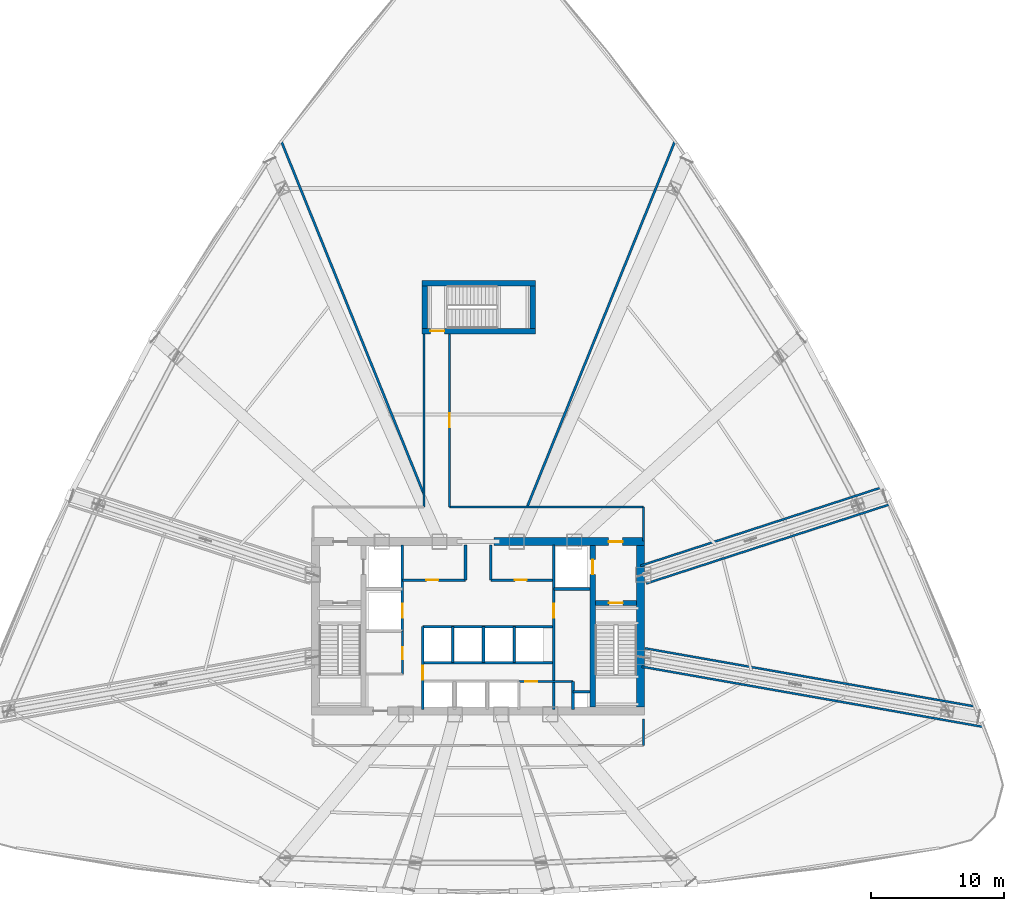
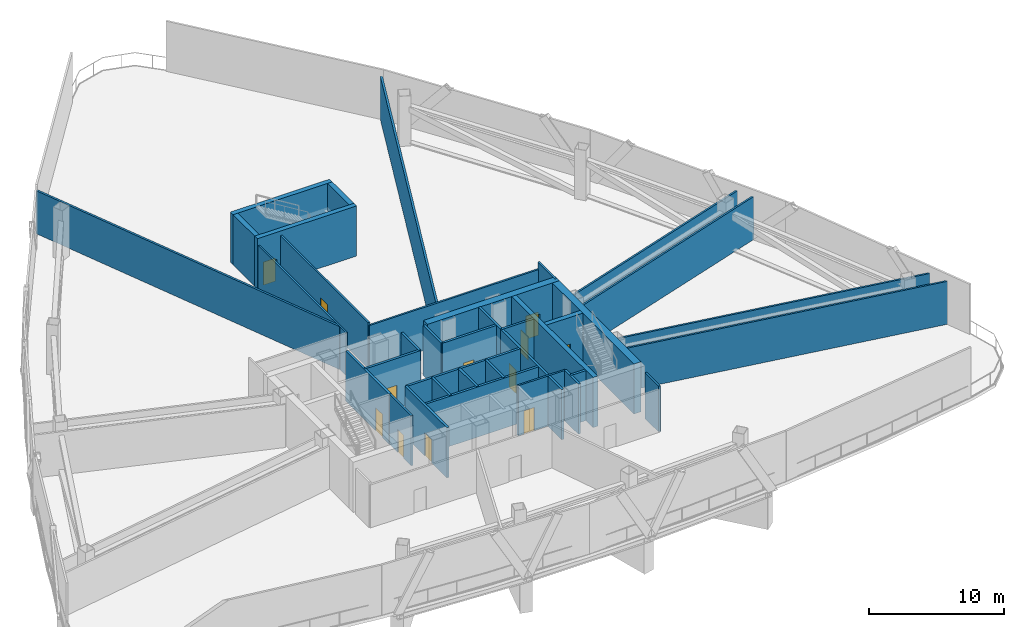
# One storey, part 10 of 17: 37 walls, 12 doors, 12 openings.
"""IFC4 building model written with IfcOpenShell, lengths in metres."""

from ifc_helpers import new_model, si_unit, direction, frame, frame_2d, origin, origin_with_axes, place, context, subcontext, project, spatial, rectangle, extrude, source, transform, mapped, material, layer, layer_set, type_object, element, fill, save


model = new_model("IFC4")

# Units and contexts
model_context = context("Model", 3, precision=1e-05, world=origin(), true_north=direction((0.0, 1.0)))
body_context = subcontext(model_context, "Body", "Model", "MODEL_VIEW")
ifc_project = project(units=[si_unit("LENGTHUNIT", "METRE"), si_unit("AREAUNIT", "SQUARE_METRE"), si_unit("VOLUMEUNIT", "CUBIC_METRE"), si_unit("PLANEANGLEUNIT", "RADIAN"), si_unit("MASSUNIT", "GRAM", prefix="KILO"), si_unit("THERMODYNAMICTEMPERATUREUNIT", "KELVIN"), si_unit("POWERUNIT", "WATT")], contexts=[model_context])

# Site, building, storey
site_placement = place(None, origin())
site = spatial("IfcSite", under=ifc_project, at=site_placement, CompositionType="ELEMENT")
building_placement = place(site_placement, origin())
building = spatial("IfcBuilding", under=site, at=building_placement, Name="Yunzhuo Pagoda Commons", CompositionType="ELEMENT")
storey_placement = place(building_placement, frame((0.0, 0.0, 176.159912109375)))
storey = spatial("IfcBuildingStorey", under=building, at=storey_placement, Name="L44", CompositionType="ELEMENT", Elevation=176.159912109375)

# Wall, opening, door
ifc_material_1 = material(Name="Concrete C60", Category="concrete")
ifc_layer_1 = layer(ifc_material_1, 0.60009765625)
ifc_layer_set_1 = layer_set([ifc_layer_1], Name="Concrete C60")
wall_type_1 = type_object("IfcWallType", Name="W-C02 Mid Core Shear Wall 600", PredefinedType="SHEAR", material=ifc_layer_set_1)
wall_1_placement = place(storey_placement, frame((49.199951171875, 40.199951171875, 0.0), z_axis=(0.0, 0.0, 1.0), x_axis=(1.0, 0.0, 0.0)))
wall_1 = element("IfcWall", 1, at=wall_1_placement, inside=storey, type_object=wall_type_1, Name="L44 core shear wall NE", PredefinedType="SHEAR", context=body_context, shape_type="SweptSolid", body=[
    extrude(rectangle(XDim=11.300048828125, YDim=0.60009765625, at=frame_2d((5.64990234375, 0.0))), origin(), (0.0, 0.0, 1.0), 4.5400390625),
])
opening_1_placement = place(wall_1_placement, frame((8.60009765625, 0.0, 0.0)))
opening_1 = element("IfcOpeningElement", 2, at=opening_1_placement, cuts=wall_1, Name="Opening D-02", PredefinedType="OPENING", context=body_context, shape_type="SweptSolid", body=[
    extrude(rectangle(XDim=1.050048828125, YDim=2.10009765625, at=frame_2d((0.52490234375, 1.050048828125))), frame((0.0, 0.31005859375, 0.0), z_axis=(0.0, -1.0, 0.0), x_axis=(1.0, 0.0, 0.0)), (0.0, 0.0, 1.0), 0.6201171875),
])
ifc_material_2 = material(Name="Galvanized fire-resisting metal leaf")
door_type_1 = type_object("IfcDoorType", Name="D-02 Firefighting Lobby & Refuge Fire Door 1050x2100", OperationType="NOTDEFINED", PredefinedType="DOOR", material=ifc_material_2)
shared_shape_1 = source(origin(), body_context, "Body", "SweptSolid", [
    extrude(rectangle(XDim=1.050048828125, YDim=2.10009765625, at=frame_2d((0.52490234375, 1.050048828125))), frame((0.0, 0.02490234375, 0.0), z_axis=(0.0, -1.0, 0.0), x_axis=(1.0, 0.0, 0.0)), (0.0, 0.0, 1.0), 0.050048828125),
])
door_1_placement = place(opening_1_placement, frame((1.050048828125, 0.0, 0.0), z_axis=(0.0, 0.0, 1.0), x_axis=(-1.0, 0.0, 0.0)))
door_1 = element("IfcDoor", 3, at=door_1_placement, inside=storey, type_object=door_type_1, Name="L44 Firefighting Lobby 2 fire door", OperationType="SINGLE_SWING_RIGHT", OverallHeight=2.10009765625, OverallWidth=1.050048828125, PredefinedType="DOOR", context=body_context, shape_type="MappedRepresentation", body=[
    mapped(shared_shape_1, transform((0.0, 0.0, 0.0), scale=1.0)),
])
fill(opening_1, door_1)

# Wall
wall_2_placement = place(storey_placement, frame((60.199951171875, 27.800048828125, 0.0), z_axis=(0.0, 0.0, 1.0), x_axis=(0.0, 1.0, 0.0)))
element("IfcWall", 4, at=wall_2_placement, inside=storey, type_object=wall_type_1, Name="L44 core shear wall E", PredefinedType="SHEAR", context=body_context, shape_type="SweptSolid", body=[
    extrude(rectangle(XDim=12.099853515625, YDim=0.60009765625, at=frame_2d((6.0498046875, 0.0))), origin(), (0.0, 0.0, 1.0), 4.5400390625),
])

# Wall, opening, door
ifc_material_3 = material(Name="Gypsum plasterboard on acoustic stud")
ifc_layer_2 = layer(ifc_material_3, 0.155029296875)
ifc_layer_set_2 = layer_set([ifc_layer_2], Name="Gypsum plasterboard on acoustic stud")
wall_type_2 = type_object("IfcWallType", Name="W-COR2 Mid-Zone Rated Corridor Wall 155", PredefinedType="PARTITIONING", material=ifc_layer_set_2)
wall_3_placement = place(storey_placement, frame((42.320068359375, 30.280029296875, 0.0), z_axis=(0.0, 0.0, 1.0), x_axis=(0.0, 1.0, 0.0)))
wall_3 = element("IfcWall", 5, at=wall_3_placement, inside=storey, type_object=wall_type_2, Name="L44 interior wall IW-L44-CSWE", PredefinedType="PARTITIONING", context=body_context, shape_type="SweptSolid", body=[
    extrude(rectangle(XDim=3.219970703125, YDim=0.155029296875, at=frame_2d((1.60986328125, 0.0))), origin(), (0.0, 0.0, 1.0), 4.5400390625),
])
opening_2_placement = place(wall_3_placement, frame((1.10009765625, 0.0, 0.0)))
opening_2 = element("IfcOpeningElement", 6, at=opening_2_placement, cuts=wall_3, Name="Opening D-03", PredefinedType="OPENING", context=body_context, shape_type="SweptSolid", body=[
    extrude(rectangle(XDim=0.89990234375, YDim=2.10009765625, at=frame_2d((0.449951171875, 1.050048828125))), frame((0.0, 0.08740234375, 0.0), z_axis=(0.0, -1.0, 0.0), x_axis=(1.0, 0.0, 0.0)), (0.0, 0.0, 1.0), 0.175048828125),
])
door_type_2 = type_object("IfcDoorType", Name="D-03 Core Service Fire Door 900x2100", OperationType="NOTDEFINED", PredefinedType="DOOR", material=ifc_material_2)
shared_shape_2 = source(origin(), body_context, "Body", "SweptSolid", [
    extrude(rectangle(XDim=0.89990234375, YDim=2.10009765625, at=frame_2d((0.449951171875, 1.050048828125))), frame((0.0, 0.02490234375, 0.0), z_axis=(0.0, -1.0, 0.0), x_axis=(1.0, 0.0, 0.0)), (0.0, 0.0, 1.0), 0.050048828125),
])
door_2_placement = place(opening_2_placement, origin_with_axes())
door_2 = element("IfcDoor", 7, at=door_2_placement, inside=storey, type_object=door_type_2, Name="L44 core closet door", OperationType="SINGLE_SWING_LEFT", OverallHeight=2.10009765625, OverallWidth=0.89990234375, PredefinedType="DOOR", context=body_context, shape_type="MappedRepresentation", body=[
    mapped(shared_shape_2, transform((0.0, 0.0, 0.0), scale=1.0)),
])
fill(opening_2, door_2)

wall_4_placement = place(storey_placement, frame((51.050048828125, 29.719970703125, 0.0), z_axis=(0.0, 0.0, 1.0), x_axis=(1.0, 0.0, 0.0)))
wall_4 = element("IfcWall", 8, at=wall_4_placement, inside=storey, type_object=wall_type_2, Name="L44 interior wall IW-L44-CSES", PredefinedType="PARTITIONING", context=body_context, shape_type="SweptSolid", body=[
    extrude(rectangle(XDim=4.070068359375, YDim=0.155029296875, at=frame_2d((2.03515625, 0.0))), origin(), (0.0, 0.0, 1.0), 4.5400390625),
])
opening_3_placement = place(wall_4_placement, frame((0.5, 0.0, 0.0)))
opening_3 = element("IfcOpeningElement", 9, at=opening_3_placement, cuts=wall_4, Name="Opening D-03", PredefinedType="OPENING", context=body_context, shape_type="SweptSolid", body=[
    extrude(rectangle(XDim=0.89990234375, YDim=2.10009765625, at=frame_2d((0.449951171875, 1.050048828125))), frame((0.0, 0.08740234375, 0.0), z_axis=(0.0, -1.0, 0.0), x_axis=(1.0, 0.0, 0.0)), (0.0, 0.0, 1.0), 0.175048828125),
])
door_3_placement = place(opening_3_placement, origin_with_axes())
door_3 = element("IfcDoor", 10, at=door_3_placement, inside=storey, type_object=door_type_2, Name="L44 cleaner store door", OperationType="SINGLE_SWING_LEFT", OverallHeight=2.10009765625, OverallWidth=0.89990234375, PredefinedType="DOOR", context=body_context, shape_type="MappedRepresentation", body=[
    mapped(shared_shape_2, transform((0.0, 0.0, 0.0), scale=1.0)),
])
fill(opening_3, door_3)

# Walls
wall_5_placement = place(storey_placement, frame((60.2783203125, 30.82421875, 0.0), z_axis=(0.0, 0.0, 1.0), x_axis=(0.984808792437, -0.173642282695, 0.0)))
element("IfcWall", 11, at=wall_5_placement, inside=storey, type_object=wall_type_2, Name="L44 interior wall IW-L44-OTW01", PredefinedType="PARTITIONING", context=body_context, shape_type="SweptSolid", body=[
    extrude(rectangle(XDim=25.99560546875, YDim=0.155029296875, at=frame_2d((12.997802734375, 0.0))), origin(), (0.0, 0.0, 1.0), 3.89013671875),
])
wall_6_placement = place(storey_placement, frame((60.521484375, 32.202880859375, 0.0), z_axis=(0.0, 0.0, 1.0), x_axis=(0.984809178547, -0.173640092865, 0.0)))
element("IfcWall", 12, at=wall_6_placement, inside=storey, type_object=wall_type_2, Name="L44 interior wall IW-L44-OTW02", PredefinedType="PARTITIONING", context=body_context, shape_type="SweptSolid", body=[
    extrude(rectangle(XDim=25.1240234375, YDim=0.155029296875, at=frame_2d((12.56201171875, 0.0))), origin(), (0.0, 0.0, 1.0), 3.89013671875),
])
wall_7_placement = place(storey_placement, frame((60.6162109375, 37.063232421875, 0.0), z_axis=(0.0, 0.0, 1.0), x_axis=(0.951056691926, 0.309016453838, 0.0)))
element("IfcWall", 13, at=wall_7_placement, inside=storey, type_object=wall_type_2, Name="L44 interior wall IW-L44-OTW03", PredefinedType="PARTITIONING", context=body_context, shape_type="SweptSolid", body=[
    extrude(rectangle(XDim=19.189697265625, YDim=0.155029296875, at=frame_2d((9.5947265625, 0.0))), origin(), (0.0, 0.0, 1.0), 3.89013671875),
])
wall_8_placement = place(storey_placement, frame((60.18359375, 38.394775390625, 0.0), z_axis=(0.0, 0.0, 1.0), x_axis=(0.951055361724, 0.309020547758, 0.0)))
element("IfcWall", 14, at=wall_8_placement, inside=storey, type_object=wall_type_2, Name="L44 interior wall IW-L44-OTW04", PredefinedType="PARTITIONING", context=body_context, shape_type="SweptSolid", body=[
    extrude(rectangle(XDim=18.956298828125, YDim=0.155029296875, at=frame_2d((9.47802734375, 0.0))), origin(), (0.0, 0.0, 1.0), 3.89013671875),
])
wall_9_placement = place(storey_placement, frame((43.949951171875, 42.800048828125, 0.0), z_axis=(0.0, 0.0, 1.0), x_axis=(0.0, 1.0, 0.0)))
element("IfcWall", 15, at=wall_9_placement, inside=storey, type_object=wall_type_2, Name="L44 interior wall IW-L44-SCW03", PredefinedType="PARTITIONING", context=body_context, shape_type="SweptSolid", body=[
    extrude(rectangle(XDim=13.0, YDim=0.155029296875, at=frame_2d((6.5, 0.0))), origin(), (0.0, 0.0, 1.0), 3.89013671875),
])

# Wall, opening, door
wall_10_placement = place(storey_placement, frame((45.85009765625, 55.800048828125, 0.0), z_axis=(0.0, 0.0, 1.0), x_axis=(0.0, -1.0, 0.0)))
wall_10 = element("IfcWall", 16, at=wall_10_placement, inside=storey, type_object=wall_type_2, Name="L44 interior wall IW-L44-SCW04", PredefinedType="PARTITIONING", context=body_context, shape_type="SweptSolid", body=[
    extrude(rectangle(XDim=13.0, YDim=0.155029296875, at=frame_2d((6.5, 0.0))), origin(), (0.0, 0.0, 1.0), 4.14013671875),
])
opening_4_placement = place(wall_10_placement, frame((5.97509765625, 0.0, 0.0)))
opening_4 = element("IfcOpeningElement", 17, at=opening_4_placement, cuts=wall_10, Name="Opening D-02", PredefinedType="OPENING", context=body_context, shape_type="SweptSolid", body=[
    extrude(rectangle(XDim=1.050048828125, YDim=2.10009765625, at=frame_2d((0.52490234375, 1.050048828125))), frame((0.0, 0.08740234375, 0.0), z_axis=(0.0, -1.0, 0.0), x_axis=(1.0, 0.0, 0.0)), (0.0, 0.0, 1.0), 0.175048828125),
])
door_4_placement = place(opening_4_placement, origin_with_axes())
door_4 = element("IfcDoor", 18, at=door_4_placement, inside=storey, type_object=door_type_1, Name="L44 North Refuge Area door", OperationType="SINGLE_SWING_RIGHT", OverallHeight=2.10009765625, OverallWidth=1.050048828125, PredefinedType="DOOR", context=body_context, shape_type="MappedRepresentation", body=[
    mapped(shared_shape_1, transform((0.0, 0.0, 0.0), scale=1.0)),
])
fill(opening_4, door_4)

# Walls
wall_11_placement = place(storey_placement, frame((45.85009765625, 42.800048828125, 0.0), z_axis=(0.0, 0.0, 1.0), x_axis=(1.0, 0.0, 0.0)))
element("IfcWall", 19, at=wall_11_placement, inside=storey, type_object=wall_type_2, Name="L44 interior wall IW-L44-SCW05", PredefinedType="PARTITIONING", context=body_context, shape_type="SweptSolid", body=[
    extrude(rectangle(XDim=14.5498046875, YDim=0.155029296875, at=frame_2d((7.27490234375, 0.0))), origin(), (0.0, 0.0, 1.0), 3.89013671875),
])
wall_12_placement = place(storey_placement, frame((60.39990234375, 42.800048828125, 0.0), z_axis=(0.0, 0.0, 1.0), x_axis=(0.0, -1.0, 0.0)))
element("IfcWall", 20, at=wall_12_placement, inside=storey, type_object=wall_type_2, Name="L44 interior wall IW-L44-SCW06", PredefinedType="PARTITIONING", context=body_context, shape_type="SweptSolid", body=[
    extrude(rectangle(XDim=2.550048828125, YDim=0.155029296875, at=frame_2d((1.27490234375, 0.0))), origin(), (0.0, 0.0, 1.0), 4.5400390625),
])
wall_13_placement = place(storey_placement, frame((60.39990234375, 26.89990234375, 0.0), z_axis=(0.0, 0.0, 1.0), x_axis=(0.0, -1.0, 0.0)))
element("IfcWall", 21, at=wall_13_placement, inside=storey, type_object=wall_type_2, Name="L44 interior wall IW-L44-SCW07", PredefinedType="PARTITIONING", context=body_context, shape_type="SweptSolid", body=[
    extrude(rectangle(XDim=2.0, YDim=0.155029296875, at=frame_2d((1.0, 0.0))), origin(), (0.0, 0.0, 1.0), 4.14013671875),
])
ifc_layer_3 = layer(ifc_material_3, 0.175048828125)
ifc_layer_set_3 = layer_set([ifc_layer_3], Name="Gypsum plasterboard on acoustic stud")
wall_type_3 = type_object("IfcWallType", Name="W-PRT3 Mid-Zone Demising Wall 175", PredefinedType="PARTITIONING", material=ifc_layer_set_3)
wall_14_placement = place(storey_placement, frame((51.676513671875, 42.800048828125, 0.0), z_axis=(0.0, 0.0, 1.0), x_axis=(0.374608867695, 0.927182935695, 0.0)))
element("IfcWall", 22, at=wall_14_placement, inside=storey, type_object=wall_type_3, Name="L44 interior wall IW-L44-SRAD1", PredefinedType="PARTITIONING", context=body_context, shape_type="SweptSolid", body=[
    extrude(rectangle(XDim=29.592041015625, YDim=0.175048828125, at=frame_2d((14.7958984375, 0.0))), origin(), (0.0, 0.0, 1.0), 3.89013671875),
])
wall_15_placement = place(storey_placement, frame((43.949951171875, 43.72412109375, 0.0), z_axis=(0.0, 0.0, 1.0), x_axis=(-0.374603363422, 0.927185159562, 0.0)))
element("IfcWall", 23, at=wall_15_placement, inside=storey, type_object=wall_type_3, Name="L44 interior wall IW-L44-SRAD2", PredefinedType="PARTITIONING", context=body_context, shape_type="SweptSolid", body=[
    extrude(rectangle(XDim=28.595458984375, YDim=0.175048828125, at=frame_2d((14.2978515625, 0.0))), origin(), (0.0, 0.0, 1.0), 3.89013671875),
])

# Wall, opening, door
ifc_layer_4 = layer(ifc_material_1, 0.39990234375)
ifc_layer_set_4 = layer_set([ifc_layer_4], Name="Concrete C60")
wall_type_4 = type_object("IfcWallType", Name="W-S01 Internal Core Shear Web 400", PredefinedType="SHEAR", material=ifc_layer_set_4)
wall_16_placement = place(storey_placement, frame((56.60009765625, 27.800048828125, 0.0), z_axis=(0.0, 0.0, 1.0), x_axis=(0.0, 1.0, 0.0)))
wall_16 = element("IfcWall", 24, at=wall_16_placement, inside=storey, type_object=wall_type_4, Name="L44 core shear wall WEBE", PredefinedType="SHEAR", context=body_context, shape_type="SweptSolid", body=[
    extrude(rectangle(XDim=12.099853515625, YDim=0.39990234375, at=frame_2d((6.0498046875, 0.0))), origin(), (0.0, 0.0, 1.0), 4.5400390625),
])
opening_5_placement = place(wall_16_placement, frame((9.949951171875, 0.0, 0.0)))
opening_5 = element("IfcOpeningElement", 25, at=opening_5_placement, cuts=wall_16, Name="Opening LD-01", PredefinedType="OPENING", context=body_context, shape_type="SweptSolid", body=[
    extrude(rectangle(XDim=1.10009765625, YDim=2.10009765625, at=frame_2d((0.550048828125, 1.050048828125))), frame((0.0, 0.2099609375, 0.0), z_axis=(0.0, -1.0, 0.0), x_axis=(1.0, 0.0, 0.0)), (0.0, 0.0, 1.0), 0.419921875),
])
door_type_3 = type_object("IfcDoorType", Name="LD-01 Firefighting Lift Landing Door 1100x2100", OperationType="DOUBLE_DOOR_SLIDING", PredefinedType="DOOR", material=ifc_material_2)
shared_shape_3 = source(origin(), body_context, "Body", "SweptSolid", [
    extrude(rectangle(XDim=1.10009765625, YDim=2.10009765625, at=frame_2d((0.550048828125, 1.050048828125))), frame((0.0, 0.02490234375, 0.0), z_axis=(0.0, -1.0, 0.0), x_axis=(1.0, 0.0, 0.0)), (0.0, 0.0, 1.0), 0.050048828125),
])
door_5_placement = place(opening_5_placement, origin_with_axes())
door_5 = element("IfcDoor", 26, at=door_5_placement, inside=storey, type_object=door_type_3, Name="L44 Firefighting lift FL-2 landing door", OperationType="DOUBLE_DOOR_SLIDING", OverallHeight=2.10009765625, OverallWidth=1.10009765625, PredefinedType="DOOR", context=body_context, shape_type="MappedRepresentation", body=[
    mapped(shared_shape_3, transform((0.0, 0.0, 0.0), scale=1.0)),
])
fill(opening_5, door_5)

wall_17_placement = place(storey_placement, frame((56.800048828125, 35.60009765625, 0.0), z_axis=(0.0, 0.0, 1.0), x_axis=(1.0, 0.0, 0.0)))
wall_17 = element("IfcWall", 27, at=wall_17_placement, inside=storey, type_object=wall_type_4, Name="L44 core shear wall STE", PredefinedType="SHEAR", context=body_context, shape_type="SweptSolid", body=[
    extrude(rectangle(XDim=3.099853515625, YDim=0.39990234375, at=frame_2d((1.5498046875, 0.0))), origin(), (0.0, 0.0, 1.0), 4.5400390625),
])
opening_6_placement = place(wall_17_placement, frame((1.02001953125, 0.0, 0.0)))
opening_6 = element("IfcOpeningElement", 28, at=opening_6_placement, cuts=wall_17, Name="Opening D-01", PredefinedType="OPENING", context=body_context, shape_type="SweptSolid", body=[
    extrude(rectangle(XDim=1.050048828125, YDim=2.10009765625, at=frame_2d((0.52490234375, 1.050048828125))), frame((0.0, 0.2099609375, 0.0), z_axis=(0.0, -1.0, 0.0), x_axis=(1.0, 0.0, 0.0)), (0.0, 0.0, 1.0), 0.419921875),
])
door_type_4 = type_object("IfcDoorType", Name="D-01 Smokeproof Stair Fire Door 1050x2100", OperationType="NOTDEFINED", PredefinedType="DOOR", material=ifc_material_2)
door_6_placement = place(opening_6_placement, frame((1.050048828125, 0.0, 0.0), z_axis=(0.0, 0.0, 1.0), x_axis=(-1.0, 0.0, 0.0)))
door_6 = element("IfcDoor", 29, at=door_6_placement, inside=storey, type_object=door_type_4, Name="L44 Stair ST2 fire door", OperationType="SINGLE_SWING_RIGHT", OverallHeight=2.10009765625, OverallWidth=1.050048828125, PredefinedType="DOOR", context=body_context, shape_type="MappedRepresentation", body=[
    mapped(shared_shape_1, transform((0.0, 0.0, 0.0), scale=1.0)),
])
fill(opening_6, door_6)

# Wall
wall_18_placement = place(storey_placement, frame((43.800048828125, 59.60009765625, 0.0), z_axis=(0.0, 0.0, 1.0), x_axis=(1.0, 0.0, 0.0)))
element("IfcWall", 30, at=wall_18_placement, inside=storey, type_object=wall_type_4, Name="L44 ST3 structural stair wall N", PredefinedType="SHEAR", context=body_context, shape_type="SweptSolid", body=[
    extrude(rectangle(XDim=8.5, YDim=0.39990234375, at=frame_2d((4.25, 0.0))), origin(), (0.0, 0.0, 1.0), 4.5400390625),
])

# Wall, opening, door
wall_19_placement = place(storey_placement, frame((43.800048828125, 56.0, 0.0), z_axis=(0.0, 0.0, 1.0), x_axis=(1.0, 0.0, 0.0)))
wall_19 = element("IfcWall", 31, at=wall_19_placement, inside=storey, type_object=wall_type_4, Name="L44 ST3 structural stair wall S", PredefinedType="SHEAR", context=body_context, shape_type="SweptSolid", body=[
    extrude(rectangle(XDim=8.5, YDim=0.39990234375, at=frame_2d((4.25, 0.0))), origin(), (0.0, 0.0, 1.0), 4.5400390625),
])
opening_7_placement = place(wall_19_placement, frame((0.6201171875, 0.0, 0.0)))
opening_7 = element("IfcOpeningElement", 32, at=opening_7_placement, cuts=wall_19, Name="Opening D-01", PredefinedType="OPENING", context=body_context, shape_type="SweptSolid", body=[
    extrude(rectangle(XDim=1.050048828125, YDim=2.10009765625, at=frame_2d((0.52490234375, 1.050048828125))), frame((0.0, 0.2099609375, 0.0), z_axis=(0.0, -1.0, 0.0), x_axis=(1.0, 0.0, 0.0)), (0.0, 0.0, 1.0), 0.419921875),
])
door_7_placement = place(opening_7_placement, frame((1.050048828125, 0.0, 0.0), z_axis=(0.0, 0.0, 1.0), x_axis=(-1.0, 0.0, 0.0)))
door_7 = element("IfcDoor", 33, at=door_7_placement, inside=storey, type_object=door_type_4, Name="L44 Stair ST3 fire door", OperationType="SINGLE_SWING_LEFT", OverallHeight=2.10009765625, OverallWidth=1.050048828125, PredefinedType="DOOR", context=body_context, shape_type="MappedRepresentation", body=[
    mapped(shared_shape_1, transform((0.0, 0.0, 0.0), scale=1.0)),
])
fill(opening_7, door_7)

# Walls
for number, where, z_axis, x_axis, name in (
    (34, (44.0, 56.199951171875, 0.0), (0.0, 0.0, 1.0), (0.0, 1.0, 0.0), "L44 ST3 structural stair wall W"),
    (35, (52.10009765625, 56.199951171875, 0.0), (0.0, 0.0, 1.0), (0.0, 1.0, 0.0), "L44 ST3 structural stair wall E"),
):
    element("IfcWall", number, at=place(storey_placement, frame(where, z_axis=z_axis, x_axis=x_axis)), inside=storey, type_object=wall_type_4, Name=name, PredefinedType="SHEAR", context=body_context, shape_type="SweptSolid", body=[
        extrude(rectangle(XDim=3.199951171875, YDim=0.39990234375, at=frame_2d((1.60009765625, 0.0))), origin(), (0.0, 0.0, 1.0), 4.5400390625),
    ])

# Wall, opening, door
ifc_material_4 = material(Name="Concrete C40", Category="concrete")
ifc_layer_5 = layer(ifc_material_4, 0.199951171875)
ifc_layer_set_5 = layer_set([ifc_layer_5], Name="Concrete C40")
wall_type_5 = type_object("IfcWallType", Name="W-SHF Shaft & Stair Enclosure Wall 200", PredefinedType="SOLIDWALL", material=ifc_layer_set_5)
wall_20_placement = place(storey_placement, frame((42.320068359375, 33.5, 0.0), z_axis=(0.0, 0.0, 1.0), x_axis=(0.0, 1.0, 0.0)))
wall_20 = element("IfcWall", 36, at=wall_20_placement, inside=storey, type_object=wall_type_5, Name="L44 interior wall IW-L44-FL1E", PredefinedType="SOLIDWALL", context=body_context, shape_type="SweptSolid", body=[
    extrude(rectangle(XDim=6.449951171875, YDim=0.199951171875, at=frame_2d((3.22509765625, 0.0))), origin(), (0.0, 0.0, 1.0), 4.5400390625),
])
opening_8_placement = place(wall_20_placement, frame((1.0, 0.0, 0.0)))
opening_8 = element("IfcOpeningElement", 37, at=opening_8_placement, cuts=wall_20, Name="Opening LD-02", PredefinedType="OPENING", context=body_context, shape_type="SweptSolid", body=[
    extrude(rectangle(XDim=1.050048828125, YDim=2.10009765625, at=frame_2d((0.52490234375, 1.050048828125))), frame((0.0, 0.10986328125, 0.0), z_axis=(0.0, -1.0, 0.0), x_axis=(1.0, 0.0, 0.0)), (0.0, 0.0, 1.0), 0.219970703125),
])
door_type_5 = type_object("IfcDoorType", Name="LD-02 Passenger Lift Landing Door 1050x2100", OperationType="DOUBLE_DOOR_SLIDING", PredefinedType="DOOR", material=ifc_material_2)
door_8_placement = place(opening_8_placement, origin_with_axes())
door_8 = element("IfcDoor", 38, at=door_8_placement, inside=storey, type_object=door_type_5, Name="L44 Service lift SL-1 landing door", OperationType="DOUBLE_DOOR_SLIDING", OverallHeight=2.10009765625, OverallWidth=1.050048828125, PredefinedType="DOOR", context=body_context, shape_type="MappedRepresentation", body=[
    mapped(shared_shape_1, transform((0.0, 0.0, 0.0), scale=1.0)),
])
fill(opening_8, door_8)

# Walls
wall_21_placement = place(storey_placement, frame((53.679931640625, 36.64990234375, 0.0), z_axis=(0.0, 0.0, 1.0), x_axis=(0.0, 1.0, 0.0)))
element("IfcWall", 39, at=wall_21_placement, inside=storey, type_object=wall_type_5, Name="L44 interior wall IW-L44-FL2W", PredefinedType="SOLIDWALL", context=body_context, shape_type="SweptSolid", body=[
    extrude(rectangle(XDim=3.300048828125, YDim=0.199951171875, at=frame_2d((1.64990234375, 0.0))), origin(), (0.0, 0.0, 1.0), 4.5400390625),
])
wall_22_placement = place(storey_placement, frame((53.679931640625, 36.64990234375, 0.0), z_axis=(0.0, 0.0, 1.0), x_axis=(1.0, 0.0, 0.0)))
element("IfcWall", 40, at=wall_22_placement, inside=storey, type_object=wall_type_5, Name="L44 interior wall IW-L44-FL2S", PredefinedType="SOLIDWALL", context=body_context, shape_type="SweptSolid", body=[
    extrude(rectangle(XDim=2.719970703125, YDim=0.199951171875, at=frame_2d((1.35986328125, 0.0))), origin(), (0.0, 0.0, 1.0), 4.5400390625),
])

# Wall, opening, door
wall_23_placement = place(storey_placement, frame((42.320068359375, 37.320068359375, 0.0), z_axis=(0.0, 0.0, 1.0), x_axis=(1.0, 0.0, 0.0)))
wall_23 = element("IfcWall", 41, at=wall_23_placement, inside=storey, type_object=wall_type_5, Name="L44 interior wall IW-L44-LBNW", PredefinedType="SOLIDWALL", context=body_context, shape_type="SweptSolid", body=[
    extrude(rectangle(XDim=4.72998046875, YDim=0.199951171875, at=frame_2d((2.364990234375, 0.0))), origin(), (0.0, 0.0, 1.0), 4.5400390625),
])
opening_9_placement = place(wall_23_placement, frame((1.800048828125, 0.0, 0.0)))
opening_9 = element("IfcOpeningElement", 42, at=opening_9_placement, cuts=wall_23, Name="Opening D-03", PredefinedType="OPENING", context=body_context, shape_type="SweptSolid", body=[
    extrude(rectangle(XDim=0.89990234375, YDim=2.10009765625, at=frame_2d((0.449951171875, 1.050048828125))), frame((0.0, 0.10986328125, 0.0), z_axis=(0.0, -1.0, 0.0), x_axis=(1.0, 0.0, 0.0)), (0.0, 0.0, 1.0), 0.219970703125),
])
door_9_placement = place(opening_9_placement, frame((0.89990234375, 0.0, 0.0), z_axis=(0.0, 0.0, 1.0), x_axis=(-1.0, 0.0, 0.0)))
door_9 = element("IfcDoor", 43, at=door_9_placement, inside=storey, type_object=door_type_2, Name="L44 core west store door", OperationType="SINGLE_SWING_LEFT", OverallHeight=2.10009765625, OverallWidth=0.89990234375, PredefinedType="DOOR", context=body_context, shape_type="MappedRepresentation", body=[
    mapped(shared_shape_2, transform((0.0, 0.0, 0.0), scale=1.0)),
])
fill(opening_9, door_9)

wall_24_placement = place(storey_placement, frame((48.949951171875, 37.320068359375, 0.0), z_axis=(0.0, 0.0, 1.0), x_axis=(1.0, 0.0, 0.0)))
wall_24 = element("IfcWall", 44, at=wall_24_placement, inside=storey, type_object=wall_type_5, Name="L44 interior wall IW-L44-LBNE", PredefinedType="SOLIDWALL", context=body_context, shape_type="SweptSolid", body=[
    extrude(rectangle(XDim=4.72998046875, YDim=0.199951171875, at=frame_2d((2.364990234375, 0.0))), origin(), (0.0, 0.0, 1.0), 4.5400390625),
])
opening_10_placement = place(wall_24_placement, frame((1.800048828125, 0.0, 0.0)))
opening_10 = element("IfcOpeningElement", 45, at=opening_10_placement, cuts=wall_24, Name="Opening D-03", PredefinedType="OPENING", context=body_context, shape_type="SweptSolid", body=[
    extrude(rectangle(XDim=0.89990234375, YDim=2.10009765625, at=frame_2d((0.449951171875, 1.050048828125))), frame((0.0, 0.10986328125, 0.0), z_axis=(0.0, -1.0, 0.0), x_axis=(1.0, 0.0, 0.0)), (0.0, 0.0, 1.0), 0.219970703125),
])
door_10_placement = place(opening_10_placement, frame((0.89990234375, 0.0, 0.0), z_axis=(0.0, 0.0, 1.0), x_axis=(-1.0, 0.0, 0.0)))
door_10 = element("IfcDoor", 46, at=door_10_placement, inside=storey, type_object=door_type_2, Name="L44 core east store door", OperationType="SINGLE_SWING_RIGHT", OverallHeight=2.10009765625, OverallWidth=0.89990234375, PredefinedType="DOOR", context=body_context, shape_type="MappedRepresentation", body=[
    mapped(shared_shape_2, transform((0.0, 0.0, 0.0), scale=1.0)),
])
fill(opening_10, door_10)

# Walls
for number, where, z_axis, x_axis, name in (
    (47, (47.050048828125, 37.320068359375, 0.0), (0.0, 0.0, 1.0), (0.0, 1.0, 0.0), "L44 interior wall IW-L44-THRW"),
    (48, (48.949951171875, 37.320068359375, 0.0), (0.0, 0.0, 1.0), (0.0, 1.0, 0.0), "L44 interior wall IW-L44-THRE"),
):
    element("IfcWall", number, at=place(storey_placement, frame(where, z_axis=z_axis, x_axis=x_axis)), inside=storey, type_object=wall_type_5, Name=name, PredefinedType="SOLIDWALL", context=body_context, shape_type="SweptSolid", body=[
        extrude(rectangle(XDim=2.6298828125, YDim=0.199951171875, at=frame_2d((1.31494140625, 0.0))), origin(), (0.0, 0.0, 1.0), 4.5400390625),
    ])
wall_25_placement = place(storey_placement, frame((43.85009765625, 33.820068359375, 0.0), z_axis=(0.0, 0.0, 1.0), x_axis=(1.0, 0.0, 0.0)))
element("IfcWall", 49, at=wall_25_placement, inside=storey, type_object=wall_type_5, Name="L44 interior wall IW-L44-MLBS", PredefinedType="SOLIDWALL", context=body_context, shape_type="SweptSolid", body=[
    extrude(rectangle(XDim=9.829833984375, YDim=0.199951171875, at=frame_2d((4.9150390625, 0.0))), origin(), (0.0, 0.0, 1.0), 4.5400390625),
])

# Wall, opening, door
wall_26_placement = place(storey_placement, frame((43.85009765625, 27.60009765625, 0.0), z_axis=(0.0, 0.0, 1.0), x_axis=(0.0, 1.0, 0.0)))
wall_26 = element("IfcWall", 50, at=wall_26_placement, inside=storey, type_object=wall_type_5, Name="L44 interior wall IW-L44-PLMW", PredefinedType="SOLIDWALL", context=body_context, shape_type="SweptSolid", body=[
    extrude(rectangle(XDim=6.219970703125, YDim=0.199951171875, at=frame_2d((3.10986328125, 0.0))), origin(), (0.0, 0.0, 1.0), 4.5400390625),
])
opening_11_placement = place(wall_26_placement, frame((2.25, 0.0, 0.0)))
opening_11 = element("IfcOpeningElement", 51, at=opening_11_placement, cuts=wall_26, Name="Opening D-02", PredefinedType="OPENING", context=body_context, shape_type="SweptSolid", body=[
    extrude(rectangle(XDim=1.050048828125, YDim=2.10009765625, at=frame_2d((0.52490234375, 1.050048828125))), frame((0.0, 0.10986328125, 0.0), z_axis=(0.0, -1.0, 0.0), x_axis=(1.0, 0.0, 0.0)), (0.0, 0.0, 1.0), 0.219970703125),
])
door_11_placement = place(opening_11_placement, frame((1.050048828125, 0.0, 0.0), z_axis=(0.0, 0.0, 1.0), x_axis=(-1.0, 0.0, 0.0)))
door_11 = element("IfcDoor", 52, at=door_11_placement, inside=storey, type_object=door_type_1, Name="L44 High-bank hall west door", OperationType="SINGLE_SWING_LEFT", OverallHeight=2.10009765625, OverallWidth=1.050048828125, PredefinedType="DOOR", context=body_context, shape_type="MappedRepresentation", body=[
    mapped(shared_shape_1, transform((0.0, 0.0, 0.0), scale=1.0)),
])
fill(opening_11, door_11)

wall_27_placement = place(storey_placement, frame((53.679931640625, 27.60009765625, 0.0), z_axis=(0.0, 0.0, 1.0), x_axis=(0.0, 1.0, 0.0)))
wall_27 = element("IfcWall", 53, at=wall_27_placement, inside=storey, type_object=wall_type_5, Name="L44 interior wall IW-L44-PLME", PredefinedType="SOLIDWALL", context=body_context, shape_type="SweptSolid", body=[
    extrude(rectangle(XDim=9.0498046875, YDim=0.199951171875, at=frame_2d((4.52490234375, 0.0))), origin(), (0.0, 0.0, 1.0), 4.5400390625),
])
opening_12_placement = place(wall_27_placement, frame((6.89990234375, 0.0, 0.0)))
opening_12 = element("IfcOpeningElement", 54, at=opening_12_placement, cuts=wall_27, Name="Opening D-02", PredefinedType="OPENING", context=body_context, shape_type="SweptSolid", body=[
    extrude(rectangle(XDim=1.050048828125, YDim=2.10009765625, at=frame_2d((0.52490234375, 1.050048828125))), frame((0.0, 0.10986328125, 0.0), z_axis=(0.0, -1.0, 0.0), x_axis=(1.0, 0.0, 0.0)), (0.0, 0.0, 1.0), 0.219970703125),
])
door_12_placement = place(opening_12_placement, origin_with_axes())
door_12 = element("IfcDoor", 55, at=door_12_placement, inside=storey, type_object=door_type_1, Name="L44 High-bank lift hall door", OperationType="SINGLE_SWING_RIGHT", OverallHeight=2.10009765625, OverallWidth=1.050048828125, PredefinedType="DOOR", context=body_context, shape_type="MappedRepresentation", body=[
    mapped(shared_shape_1, transform((0.0, 0.0, 0.0), scale=1.0)),
])
fill(opening_12, door_12)

# Walls
for number, where, z_axis, x_axis, name in (
    (56, (46.10009765625, 31.1201171875, 0.0), (0.0, 0.0, 1.0), (0.0, 1.0, 0.0), "L44 interior wall IW-L44-PLMD1"),
    (57, (48.39990234375, 31.1201171875, 0.0), (0.0, 0.0, 1.0), (0.0, 1.0, 0.0), "L44 interior wall IW-L44-PLMD2"),
    (58, (50.699951171875, 31.1201171875, 0.0), (0.0, 0.0, 1.0), (0.0, 1.0, 0.0), "L44 interior wall IW-L44-PLMD3"),
):
    element("IfcWall", number, at=place(storey_placement, frame(where, z_axis=z_axis, x_axis=x_axis)), inside=storey, type_object=wall_type_5, Name=name, PredefinedType="SOLIDWALL", context=body_context, shape_type="SweptSolid", body=[
        extrude(rectangle(XDim=2.699951171875, YDim=0.199951171875, at=frame_2d((1.35009765625, 0.0))), origin(), (0.0, 0.0, 1.0), 4.5400390625),
    ])
wall_28_placement = place(storey_placement, frame((43.85009765625, 31.1201171875, 0.0), z_axis=(0.0, 0.0, 1.0), x_axis=(1.0, 0.0, 0.0)))
element("IfcWall", 59, at=wall_28_placement, inside=storey, type_object=wall_type_5, Name="L44 interior wall IW-L44-PLMS2", PredefinedType="SOLIDWALL", context=body_context, shape_type="SweptSolid", body=[
    extrude(rectangle(XDim=9.829833984375, YDim=0.199951171875, at=frame_2d((4.9150390625, 0.0))), origin(), (0.0, 0.0, 1.0), 4.5400390625),
])
wall_29_placement = place(storey_placement, frame((55.1201171875, 27.60009765625, 0.0), z_axis=(0.0, 0.0, 1.0), x_axis=(0.0, 1.0, 0.0)))
element("IfcWall", 60, at=wall_29_placement, inside=storey, type_object=wall_type_5, Name="L44 interior wall IW-L44-RSHFW", PredefinedType="SOLIDWALL", context=body_context, shape_type="SweptSolid", body=[
    extrude(rectangle(XDim=2.119873046875, YDim=0.199951171875, at=frame_2d((1.06005859375, 0.0))), origin(), (0.0, 0.0, 1.0), 4.5400390625),
])
wall_30_placement = place(storey_placement, frame((55.1201171875, 28.949951171875, 0.0), z_axis=(0.0, 0.0, 1.0), x_axis=(1.0, 0.0, 0.0)))
element("IfcWall", 61, at=wall_30_placement, inside=storey, type_object=wall_type_5, Name="L44 interior wall IW-L44-RSHFN", PredefinedType="SOLIDWALL", context=body_context, shape_type="SweptSolid", body=[
    extrude(rectangle(XDim=1.27978515625, YDim=0.199951171875, at=frame_2d((0.639892578125, 0.0))), origin(), (0.0, 0.0, 1.0), 4.5400390625),
])

save(model, "model.ifc")
